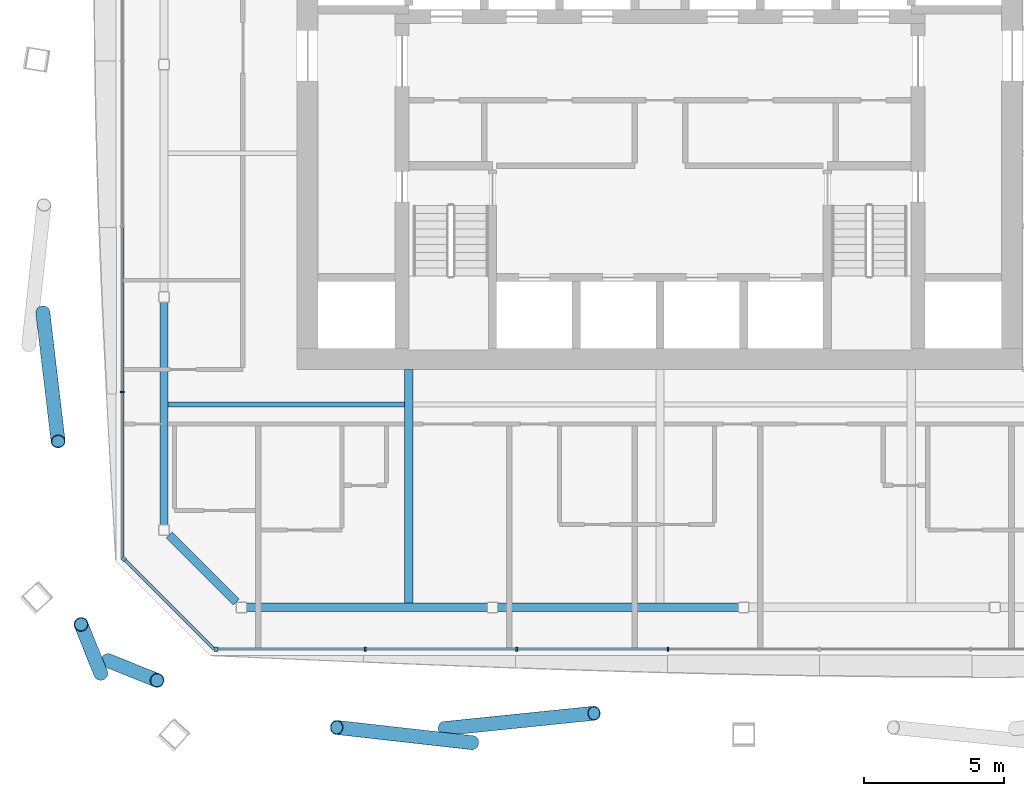
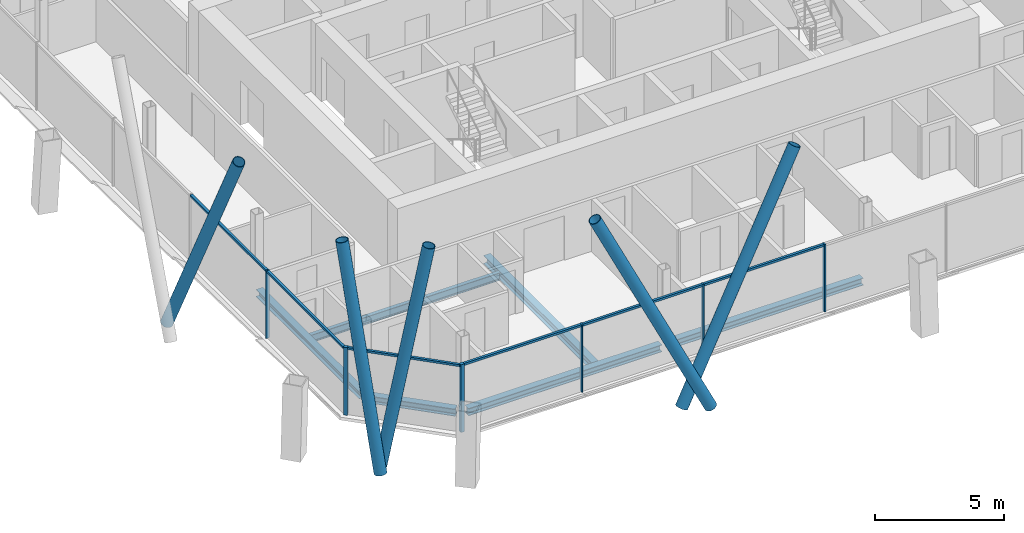
# One storey, part 3 of 23: 17 members, 6 beams, 3 elements without a shape of their own.
"""IFC4 building model written with IfcOpenShell, lengths in metres."""

from ifc_helpers import new_model, si_unit, direction, frame, origin, origin_2d, place, context, subcontext, project, spatial, rectangle, hollow_circle, i_section, extrude, material, material_profile, profile_set, type_object, element, aggregate, save


model = new_model("IFC4")

# Units and contexts
model_context = context("Model", 3, precision=1e-05, world=origin(), true_north=direction((0.0, 1.0)))
body_context = subcontext(model_context, "Body", "Model", "MODEL_VIEW")
ifc_project = project(units=[si_unit("LENGTHUNIT", "METRE"), si_unit("AREAUNIT", "SQUARE_METRE"), si_unit("VOLUMEUNIT", "CUBIC_METRE"), si_unit("PLANEANGLEUNIT", "RADIAN"), si_unit("MASSUNIT", "GRAM", prefix="KILO")], contexts=[model_context])

# Site, building, storey
site_placement = place(None, origin())
site = spatial("IfcSite", under=ifc_project, at=site_placement, CompositionType="ELEMENT")
building_placement = place(site_placement, origin())
building = spatial("IfcBuilding", under=site, at=building_placement, Name="Tskaro Facet Tower", CompositionType="ELEMENT")
storey_placement = place(building_placement, frame((0.0, 0.0, 141.89990234375)))
storey = spatial("IfcBuildingStorey", under=building, at=storey_placement, Name="L34", CompositionType="ELEMENT", Elevation=141.89990234375)

# Members
ifc_material_1 = material(Name="Steel S355J2H", Category="steel")
ifc_material_profile_1 = material_profile(ifc_material_1, hollow_circle(Radius=0.25390625, WallThickness=0.02490234375, at=origin_2d()), Name="CHS 508x25")
ifc_profile_set_1 = profile_set([ifc_material_profile_1], Name="Steel S355J2H")
member_type_1 = type_object("IfcMemberType", Name="CHS 508x25 brace", PredefinedType="BRACE", material=ifc_profile_set_1)
member_1_placement = place(storey_placement, frame((-7.7255859375, -25.117431640625, 0.0), z_axis=(0.464832457612, 0.04746513714, 0.884125470228), x_axis=(-0.101584123416, 0.994826952726, 0.0)))
element("IfcMember", 1, at=member_1_placement, inside=storey, type_object=member_type_1, Name="CHS 508x25 XB01A/3", PredefinedType="BRACE", context=body_context, shape_type="SweptSolid", body=[
    extrude(hollow_circle(Radius=0.25390625, WallThickness=0.02490234375, at=origin_2d()), origin(), (0.0, 0.0, 1.0), 11.537109375),
])
member_2_placement = place(storey_placement, frame((-6.72509765625, -25.62548828125, 0.0), z_axis=(-0.429794359444, 0.048426317664, 0.901627251334), x_axis=(-0.111964758367, -0.99371217809, 0.0)))
element("IfcMember", 2, at=member_2_placement, inside=storey, type_object=member_type_1, Name="CHS 508x25 XB01B/3", PredefinedType="BRACE", context=body_context, shape_type="SweptSolid", body=[
    extrude(hollow_circle(Radius=0.25390625, WallThickness=0.02490234375, at=origin_2d()), origin(), (0.0, 0.0, 1.0), 11.31298828125),
])
member_3_placement = place(storey_placement, frame((-22.117431640625, -10.20361328125, 0.0), z_axis=(0.048839737581, -0.412317998585, 0.909729931395), x_axis=(0.993057577009, 0.117629285236, 0.0)))
element("IfcMember", 3, at=member_3_placement, inside=storey, type_object=member_type_1, Name="CHS 508x25 XB11A/3", PredefinedType="BRACE", context=body_context, shape_type="SweptSolid", body=[
    extrude(hollow_circle(Radius=0.25390625, WallThickness=0.02490234375, at=origin_2d()), origin(), (0.0, 0.0, 1.0), 11.21240234375),
])
for number, where, z_axis, x_axis, name in (
    (4, (-19.77880859375, -22.683837890625, 0.0), (0.169091026489, -0.068083554577, 0.983246080265), (0.373504384444, 0.927628414184, 0.0), "CHS 508x25 XB12A/3"),
    (5, (-20.043212890625, -23.13818359375, 0.0), (-0.06805985886, 0.169114158288, 0.983243742456), (-0.92769113951, -0.373348563243, 0.0), "CHS 508x25 XB12B/3"),
):
    element("IfcMember", number, at=place(storey_placement, frame(where, z_axis=z_axis, x_axis=x_axis)), inside=storey, type_object=member_type_1, Name=name, PredefinedType="BRACE", context=body_context, shape_type="SweptSolid", body=[
        extrude(hollow_circle(Radius=0.25390625, WallThickness=0.02490234375, at=origin_2d()), origin(), (0.0, 0.0, 1.0), 10.3740234375),
    ])

# Curtain wall, member
ifc_material_2 = material(Name="Bronze anodised aluminium 6063-T6", Category="aluminium")
curtain_wall_type = type_object("IfcCurtainWallType", Name="Bronze hotel curtain wall (FW2)", PredefinedType="NOTDEFINED", material=ifc_material_2)
curtain_wall_1_placement = place(storey_placement, origin())
curtain_wall_1 = element("IfcCurtainWall", 6, at=curtain_wall_1_placement, inside=storey, type_object=curtain_wall_type, Name="FW2 south facet L34", PredefinedType="NOTDEFINED")
ifc_material_profile_2 = material_profile(ifc_material_2, rectangle(XDim=0.14990234375, YDim=0.14990234375, at=origin_2d()), Name="Corner post 150x150")
ifc_profile_set_2 = profile_set([ifc_material_profile_2], Name="Bronze anodised aluminium 6063-T6")
member_type_2 = type_object("IfcMemberType", Name="FW2 bronze corner post 150x150", PredefinedType="MULLION", material=ifc_profile_set_2)
member_4_placement = place(storey_placement, frame((-15.907958984375, -22.27197265625, 0.0), z_axis=(0.0, 0.0, 1.0), x_axis=(1.0, 0.0, 0.0)))
member_4 = element("IfcMember", 7, at=member_4_placement, type_object=member_type_2, Name="FW2 south corner post", PredefinedType="MULLION", context=body_context, shape_type="SweptSolid", body=[
    extrude(rectangle(XDim=0.14990234375, YDim=0.14990234375, at=origin_2d()), origin(), (0.0, 0.0, 1.0), 3.2001953125),
])

curtain_wall_2_placement = place(storey_placement, origin())
curtain_wall_2 = element("IfcCurtainWall", 8, at=curtain_wall_2_placement, inside=storey, type_object=curtain_wall_type, Name="FW2 south-west facet L34", PredefinedType="NOTDEFINED")
member_5_placement = place(storey_placement, frame((-19.218994140625, -19.0361328125, 0.0), z_axis=(0.0, 0.0, 1.0), x_axis=(0.707106781187, -0.707106781187, 0.0)))
member_5 = element("IfcMember", 9, at=member_5_placement, type_object=member_type_2, Name="FW2 south-west corner post", PredefinedType="MULLION", context=body_context, shape_type="SweptSolid", body=[
    extrude(rectangle(XDim=0.14990234375, YDim=0.14990234375, at=origin_2d()), origin(), (0.0, 0.0, 1.0), 3.2001953125),
])

# Member
ifc_material_profile_3 = material_profile(ifc_material_2, rectangle(XDim=0.06005859375, YDim=0.14990234375, at=origin_2d()), Name="Mullion 60x150")
ifc_profile_set_3 = profile_set([ifc_material_profile_3], Name="Bronze anodised aluminium 6063-T6")
member_type_3 = type_object("IfcMemberType", Name="FW2 bronze mullion 60x150", PredefinedType="MULLION", material=ifc_profile_set_3)
member_6_placement = place(storey_placement, frame((-10.559326171875, -22.27197265625, 0.0), z_axis=(0.0, 0.0, 1.0), x_axis=(1.0, 0.0, 0.0)))
member_6 = element("IfcMember", 10, at=member_6_placement, type_object=member_type_3, Name="FW2 south mullion 1", PredefinedType="MULLION", context=body_context, shape_type="SweptSolid", body=[
    extrude(rectangle(XDim=0.06005859375, YDim=0.14990234375, at=origin_2d()), origin(), (0.0, 0.0, 1.0), 3.2001953125),
])

member_7_placement = place(storey_placement, frame((-5.135498046875, -22.27197265625, 0.0), z_axis=(0.0, 0.0, 1.0), x_axis=(1.0, 0.0, 0.0)))
member_7 = element("IfcMember", 11, at=member_7_placement, type_object=member_type_3, Name="FW2 south mullion 2", PredefinedType="MULLION", context=body_context, shape_type="SweptSolid", body=[
    extrude(rectangle(XDim=0.06005859375, YDim=0.14990234375, at=origin_2d()), origin(), (0.0, 0.0, 1.0), 3.2001953125),
])

member_8_placement = place(storey_placement, frame((0.2880859375, -22.27197265625, 0.0), z_axis=(0.0, 0.0, 1.0), x_axis=(1.0, 0.0, 0.0)))
member_8 = element("IfcMember", 12, at=member_8_placement, type_object=member_type_3, Name="FW2 south mullion 3", PredefinedType="MULLION", context=body_context, shape_type="SweptSolid", body=[
    extrude(rectangle(XDim=0.06005859375, YDim=0.14990234375, at=origin_2d()), origin(), (0.0, 0.0, 1.0), 3.2001953125),
])

# Curtain wall, member
curtain_wall_3_placement = place(storey_placement, origin())
curtain_wall_3 = element("IfcCurtainWall", 13, at=curtain_wall_3_placement, inside=storey, type_object=curtain_wall_type, Name="FW2 west facet L34", PredefinedType="NOTDEFINED")
member_9_placement = place(storey_placement, frame((-19.27197265625, -13.053955078125, 0.0), z_axis=(0.0, 0.0, 1.0), x_axis=(0.0, -1.0, 0.0)))
member_9 = element("IfcMember", 14, at=member_9_placement, type_object=member_type_3, Name="FW2 west mullion 5", PredefinedType="MULLION", context=body_context, shape_type="SweptSolid", body=[
    extrude(rectangle(XDim=0.06005859375, YDim=0.14990234375, at=origin_2d()), origin(), (0.0, 0.0, 1.0), 3.2001953125),
])

# Member
ifc_material_profile_4 = material_profile(ifc_material_2, rectangle(XDim=0.110107421875, YDim=0.10009765625, at=origin_2d()), Name="Transom 110x100")
ifc_profile_set_4 = profile_set([ifc_material_profile_4], Name="Bronze anodised aluminium 6063-T6")
member_type_4 = type_object("IfcMemberType", Name="FW2 bronze transom 110x100", PredefinedType="USERDEFINED", material=ifc_profile_set_4)
member_10_placement = place(storey_placement, frame((-15.8330078125, -22.27197265625, 3.150146484375), z_axis=(1.0, 0.0, 0.0), x_axis=(0.0, 1.0, 0.0)))
member_10 = element("IfcMember", 15, at=member_10_placement, type_object=member_type_4, Name="FW2 south transom 1.1", ObjectType="TRANSOM", PredefinedType="USERDEFINED", context=body_context, shape_type="SweptSolid", body=[
    extrude(rectangle(XDim=0.110107421875, YDim=0.10009765625, at=origin_2d()), origin(), (0.0, 0.0, 1.0), 5.24365234375),
])

member_11_placement = place(storey_placement, frame((-10.529296875, -22.27197265625, 3.150146484375), z_axis=(1.0, 0.0, 0.0), x_axis=(0.0, 1.0, 0.0)))
member_11 = element("IfcMember", 16, at=member_11_placement, type_object=member_type_4, Name="FW2 south transom 2.1", ObjectType="TRANSOM", PredefinedType="USERDEFINED", context=body_context, shape_type="SweptSolid", body=[
    extrude(rectangle(XDim=0.110107421875, YDim=0.10009765625, at=origin_2d()), origin(), (0.0, 0.0, 1.0), 5.36376953125),
])

member_12_placement = place(storey_placement, frame((-5.10546875, -22.27197265625, 3.150146484375), z_axis=(1.0, 0.0, 0.0), x_axis=(0.0, 1.0, 0.0)))
member_12 = element("IfcMember", 17, at=member_12_placement, type_object=member_type_4, Name="FW2 south transom 3.1", ObjectType="TRANSOM", PredefinedType="USERDEFINED", context=body_context, shape_type="SweptSolid", body=[
    extrude(rectangle(XDim=0.110107421875, YDim=0.10009765625, at=origin_2d()), origin(), (0.0, 0.0, 1.0), 5.363525390625),
])

aggregate(curtain_wall_1, [member_4, member_6, member_7, member_8, member_10, member_11, member_12])

member_13_placement = place(storey_placement, frame((-19.27197265625, -7.15478515625, 3.150146484375), z_axis=(0.0, -1.0, 0.0), x_axis=(1.0, 0.0, 0.0)))
member_13 = element("IfcMember", 18, at=member_13_placement, type_object=member_type_4, Name="FW2 west transom 5.1", ObjectType="TRANSOM", PredefinedType="USERDEFINED", context=body_context, shape_type="SweptSolid", body=[
    extrude(rectangle(XDim=0.110107421875, YDim=0.10009765625, at=origin_2d()), origin(), (0.0, 0.0, 1.0), 5.869140625),
])

member_14_placement = place(storey_placement, frame((-19.27197265625, -13.083740234375, 3.150146484375), z_axis=(0.0, -1.0, 0.0), x_axis=(1.0, 0.0, 0.0)))
member_14 = element("IfcMember", 19, at=member_14_placement, type_object=member_type_4, Name="FW2 west transom 6.1", ObjectType="TRANSOM", PredefinedType="USERDEFINED", context=body_context, shape_type="SweptSolid", body=[
    extrude(rectangle(XDim=0.110107421875, YDim=0.10009765625, at=origin_2d()), origin(), (0.0, 0.0, 1.0), 5.899169921875),
])

aggregate(curtain_wall_3, [member_9, member_13, member_14])

member_15_placement = place(storey_placement, frame((-19.166015625, -19.089111328125, 3.150146484375), z_axis=(0.707133898856, -0.707079662477, 0.0), x_axis=(0.707079662477, 0.707133898856, 0.0)))
member_15 = element("IfcMember", 20, at=member_15_placement, type_object=member_type_4, Name="FW2 south-west transom 1.1", ObjectType="TRANSOM", PredefinedType="USERDEFINED", context=body_context, shape_type="SweptSolid", body=[
    extrude(rectangle(XDim=0.110107421875, YDim=0.10009765625, at=origin_2d()), origin(), (0.0, 0.0, 1.0), 4.50146484375),
])

aggregate(curtain_wall_2, [member_5, member_15])

# Beams
ifc_material_3 = material(Name="Steel S355J2", Category="steel")
ifc_material_profile_5 = material_profile(ifc_material_3, i_section(OverallWidth=0.300048828125, OverallDepth=0.340087890625, WebThickness=0.011962890625, FlangeThickness=0.021484375, FilletRadius=0.027099609375, at=origin_2d()), Name="HE 340 B")
ifc_profile_set_5 = profile_set([ifc_material_profile_5], Name="Steel S355J2")
beam_type_1 = type_object("IfcBeamType", Name="HE 340 B ring beam", PredefinedType="BEAM", material=ifc_profile_set_5)
beam_1_placement = place(storey_placement, frame((-14.819091796875, -20.77392578125, -0.309814453125), z_axis=(1.0, 0.0, 0.0), x_axis=(0.0, 1.0, 0.0)))
element("IfcBeam", 21, at=beam_1_placement, inside=storey, type_object=beam_type_1, Name="HE 340 B EB1-3", PredefinedType="BEAM", context=body_context, shape_type="SweptSolid", body=[
    extrude(i_section(OverallWidth=0.300048828125, OverallDepth=0.340087890625, WebThickness=0.011962890625, FlangeThickness=0.021484375, FilletRadius=0.027099609375, at=origin_2d()), origin(), (0.0, 0.0, 1.0), 8.63916015625),
])
beam_2_placement = place(storey_placement, frame((-5.820068359375, -20.77392578125, -0.309814453125), z_axis=(1.0, 0.0, 0.0), x_axis=(0.0, 1.0, 0.0)))
element("IfcBeam", 22, at=beam_2_placement, inside=storey, type_object=beam_type_1, Name="HE 340 B EB2-3", PredefinedType="BEAM", context=body_context, shape_type="SweptSolid", body=[
    extrude(i_section(OverallWidth=0.300048828125, OverallDepth=0.340087890625, WebThickness=0.011962890625, FlangeThickness=0.021484375, FilletRadius=0.027099609375, at=origin_2d()), origin(), (0.0, 0.0, 1.0), 8.64013671875),
])
beam_3_placement = place(storey_placement, frame((-17.77392578125, -9.8369140625, -0.309814453125), z_axis=(0.0, -1.0, 0.0), x_axis=(1.0, 0.0, 0.0)))
element("IfcBeam", 23, at=beam_3_placement, inside=storey, type_object=beam_type_1, Name="HE 340 B EB19-3", PredefinedType="BEAM", context=body_context, shape_type="SweptSolid", body=[
    extrude(i_section(OverallWidth=0.300048828125, OverallDepth=0.340087890625, WebThickness=0.011962890625, FlangeThickness=0.021484375, FilletRadius=0.027099609375, at=origin_2d()), origin(), (0.0, 0.0, 1.0), 7.982177734375),
])
beam_4_placement = place(storey_placement, frame((-17.588134765625, -18.184814453125, -0.309814453125), z_axis=(0.707106781187, -0.707106781187, 0.0), x_axis=(0.707106781187, 0.707106781187, 0.0)))
element("IfcBeam", 24, at=beam_4_placement, inside=storey, type_object=beam_type_1, Name="HE 340 B EB20-3", PredefinedType="BEAM", context=body_context, shape_type="SweptSolid", body=[
    extrude(i_section(OverallWidth=0.300048828125, OverallDepth=0.340087890625, WebThickness=0.011962890625, FlangeThickness=0.021484375, FilletRadius=0.027099609375, at=origin_2d()), origin(), (0.0, 0.0, 1.0), 3.39892578125),
])
ifc_material_profile_6 = material_profile(ifc_material_3, i_section(OverallWidth=0.300048828125, OverallDepth=0.389892578125, WebThickness=0.010986328125, FlangeThickness=0.01904296875, FilletRadius=0.027099609375, at=origin_2d()), Name="HE 400 A")
ifc_profile_set_6 = profile_set([ifc_material_profile_6], Name="Steel S355J2")
beam_type_2 = type_object("IfcBeamType", Name="HE 400 A girder", PredefinedType="BEAM", material=ifc_profile_set_6)
beam_5_placement = place(storey_placement, frame((-9.0, -20.6240234375, -0.3349609375), z_axis=(0.0, 1.0, 0.0), x_axis=(-1.0, 0.0, 0.0)))
element("IfcBeam", 25, at=beam_5_placement, inside=storey, type_object=beam_type_2, Name="HE 400 A GB3-1-3", PredefinedType="BEAM", context=body_context, shape_type="SweptSolid", body=[
    extrude(i_section(OverallWidth=0.300048828125, OverallDepth=0.389892578125, WebThickness=0.010986328125, FlangeThickness=0.01904296875, FilletRadius=0.027099609375, at=origin_2d()), origin(), (0.0, 0.0, 1.0), 8.3740234375),
])
ifc_material_profile_7 = material_profile(ifc_material_3, i_section(OverallWidth=0.169921875, OverallDepth=0.360107421875, WebThickness=0.008056640625, FlangeThickness=0.0126953125, FilletRadius=0.01806640625, at=origin_2d()), Name="IPE 360")
ifc_profile_set_7 = profile_set([ifc_material_profile_7], Name="Steel S355J2")
beam_type_3 = type_object("IfcBeamType", Name="IPE 360 secondary beam", PredefinedType="BEAM", material=ifc_profile_set_7)
beam_6_placement = place(storey_placement, frame((-17.6240234375, -13.5, -0.31982421875), z_axis=(1.0, 0.0, 0.0), x_axis=(0.0, 1.0, 0.0)))
element("IfcBeam", 26, at=beam_6_placement, inside=storey, type_object=beam_type_3, Name="IPE 360 SB2a-1-3", PredefinedType="BEAM", context=body_context, shape_type="SweptSolid", body=[
    extrude(i_section(OverallWidth=0.169921875, OverallDepth=0.360107421875, WebThickness=0.008056640625, FlangeThickness=0.0126953125, FilletRadius=0.01806640625, at=origin_2d()), origin(), (0.0, 0.0, 1.0), 8.47412109375),
])

save(model, "model.ifc")
